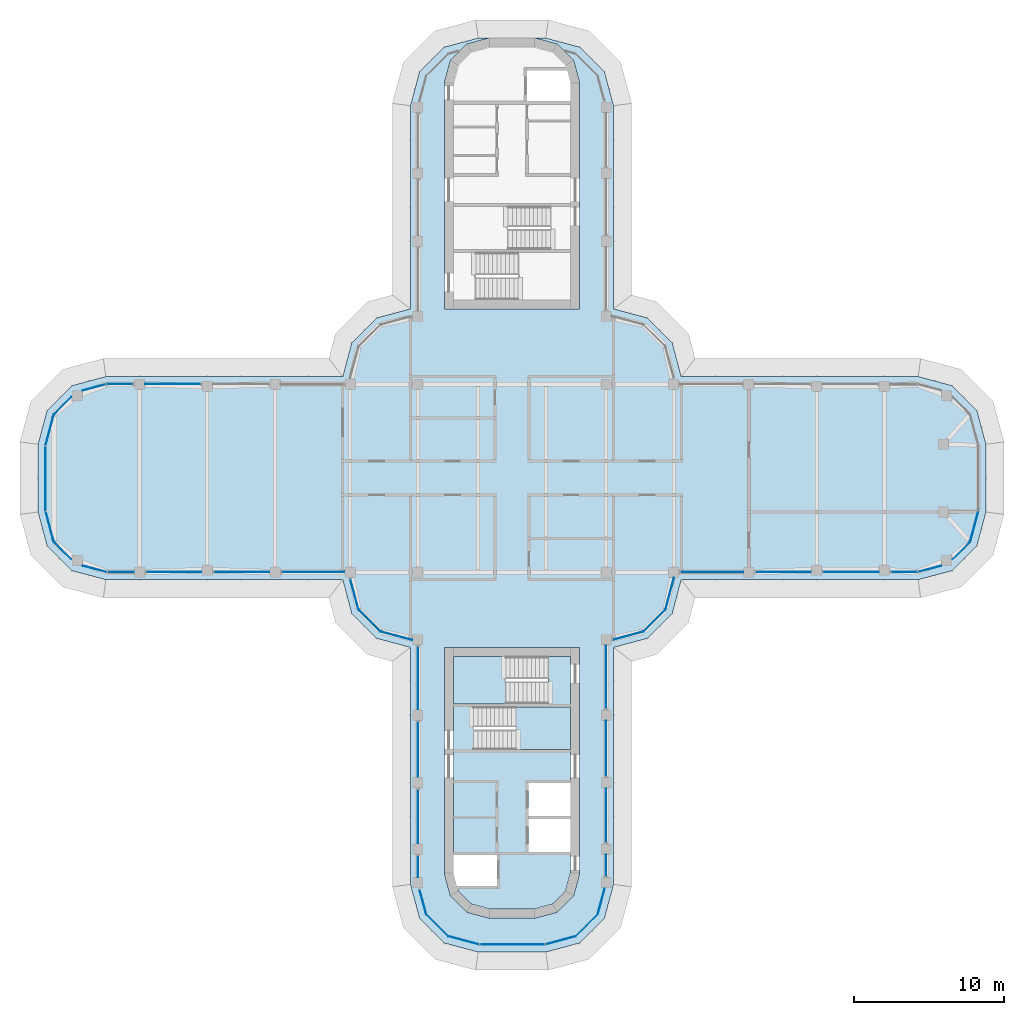
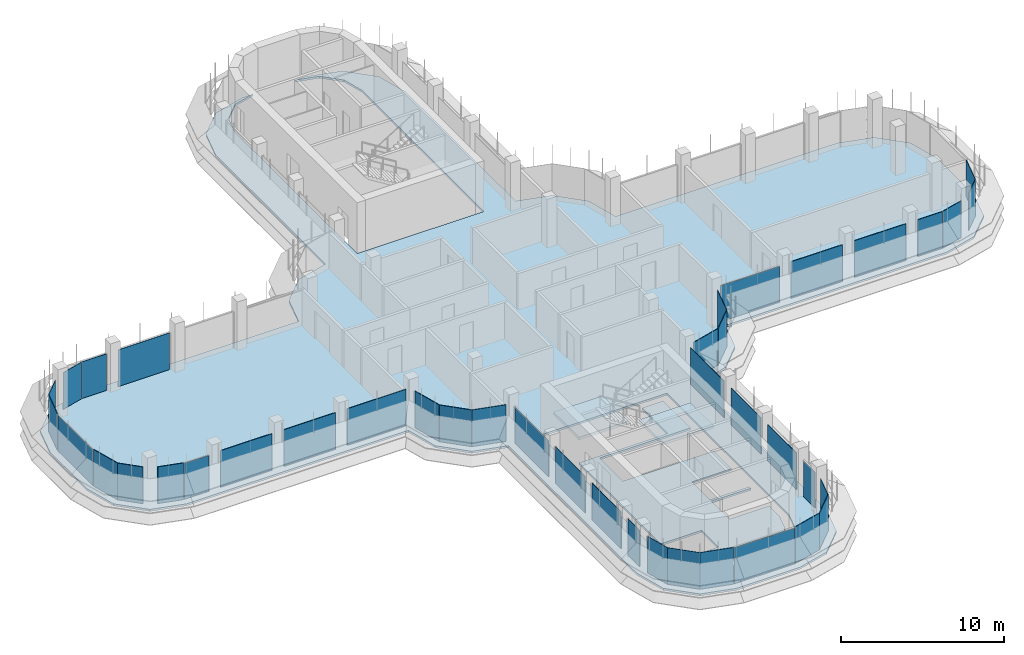
# One storey, part 11 of 19: 41 plates, 4 slabs, 30 elements without a shape of their own.
"""IFC4 building model written with IfcOpenShell, lengths in metres."""

import ifcopenshell
import ifcopenshell.guid

model = None  # the IFC model being written
_history = None  # IfcOwnerHistory: only IFC2X3 demands one
_inside = {}  # id of a spatial element -> (the spatial element, [elements in it])
_under = {}  # id of a project, library or spatial element -> (it, [spatial elements below it])
_declared = {}  # id of a project -> (the project, [libraries it declares])
_typed = {}  # id of a type object -> (the type object, [elements of that type])
_made_of = {}  # id of a material, layer set ... -> (it, [elements and type objects made of it])


def new_model(schema):
    """Start an empty IFC model of exactly this schema.

    Asked for "IFC4X3", IfcOpenShell would pick the latest addendum, in which some entities
    have other attributes; the version numbers below select the first issue.
    IFC2X3 requires an IfcOwnerHistory on every rooted entity: one is made here for all.
    """
    global model, _history
    if schema == "IFC4X3":
        model = ifcopenshell.file(schema_version=(4, 3, 0, 0))
    else:
        model = ifcopenshell.file(schema=schema)
    _inside.clear()
    _under.clear()
    _declared.clear()
    _typed.clear()
    _made_of.clear()
    _history = None
    if model.schema == "IFC2X3":
        org = make("IfcOrganization", Name="unknown")
        user = make(
            "IfcPersonAndOrganization",
            ThePerson=make("IfcPerson", FamilyName="unknown"),
            TheOrganization=org,
        )
        app = make(
            "IfcApplication",
            ApplicationDeveloper=org,
            Version="unknown",
            ApplicationFullName="unknown",
            ApplicationIdentifier="unknown",
        )
        _history = make(
            "IfcOwnerHistory",
            OwningUser=user,
            OwningApplication=app,
            ChangeAction="ADDED",
            CreationDate=0,
        )
    return model


def make(cls, **values):
    """One entity of the class cls with the attributes given. An attribute that is None is left unset."""
    return model.create_entity(
        cls, **{name: value for name, value in values.items() if value is not None}
    )


def rooted(cls, **values):
    """An entity with a GlobalId (a new one), such as an element, a storey or a relation."""
    return make(cls, GlobalId=ifcopenshell.guid.new(), OwnerHistory=_history, **values)


def si_unit(unit_type, name, prefix=None):
    """IfcSIUnit, for example si_unit("LENGTHUNIT", "METRE", prefix="MILLI")."""
    return make("IfcSIUnit", UnitType=unit_type, Prefix=prefix, Name=name)


def assignment(units):
    """IfcUnitAssignment: the units of a project."""
    return None if units is None else make("IfcUnitAssignment", Units=units)


def point(xyz):
    """IfcCartesianPoint."""
    return None if xyz is None else make("IfcCartesianPoint", Coordinates=xyz)


def direction(xyz):
    """IfcDirection."""
    return None if xyz is None else make("IfcDirection", DirectionRatios=xyz)


def frame(location, z_axis=None, x_axis=None):
    """IfcAxis2Placement3D, a coordinate frame: its origin and axes. An axis left out is left unset."""
    return make(
        "IfcAxis2Placement3D",
        Location=point(location),
        Axis=direction(z_axis),
        RefDirection=direction(x_axis),
    )


def origin():
    """The frame at (0, 0, 0) with its axes left unset."""
    return frame((0.0, 0.0, 0.0))


def place(relative_to, where):
    """IfcLocalPlacement: puts the frame where relative to a parent placement (None: the world)."""
    return make(
        "IfcLocalPlacement", PlacementRelTo=relative_to, RelativePlacement=where
    )


def context(
    kind, dimensions, precision=None, world=None, true_north=None, identifier=None
):
    """IfcGeometricRepresentationContext, for example the 3D "Model" context."""
    return make(
        "IfcGeometricRepresentationContext",
        ContextIdentifier=identifier,
        ContextType=kind,
        CoordinateSpaceDimension=dimensions,
        Precision=precision,
        WorldCoordinateSystem=world,
        TrueNorth=true_north,
    )


def subcontext(parent, identifier, kind, view, scale=None):
    """IfcGeometricRepresentationSubContext, for example "Body" below "Model"."""
    return make(
        "IfcGeometricRepresentationSubContext",
        ContextIdentifier=identifier,
        ContextType=kind,
        ParentContext=parent,
        TargetScale=scale,
        TargetView=view,
    )


def project(units=None, contexts=None):
    """IfcProject with its units and contexts."""
    return rooted(
        "IfcProject",
        Name="project",
        RepresentationContexts=contexts,
        UnitsInContext=assignment(units),
    )


def spatial(cls, under=None, at=None, **own):
    """A site, building, storey or space (cls), placed at a placement, below another one or the project."""
    s = rooted(cls, ObjectPlacement=at, **own)
    if under is not None:
        _under.setdefault(under.id(), (under, []))[1].append(s)
    return s


def polyline(points):
    """IfcPolyline through the points."""
    return make("IfcPolyline", Points=[point(p) for p in points])


def outline(outer, holes=None, kind="AREA"):
    """IfcArbitraryClosedProfileDef: a profile drawn as a closed curve; with holes, ...WithVoids."""
    if holes is None:
        return make("IfcArbitraryClosedProfileDef", ProfileType=kind, OuterCurve=outer)
    return make(
        "IfcArbitraryProfileDefWithVoids",
        ProfileType=kind,
        OuterCurve=outer,
        InnerCurves=holes,
    )


def extrude(swept, where, along, depth):
    """IfcExtrudedAreaSolid: the profile swept, set in the frame where, extruded along a direction by depth."""
    return make(
        "IfcExtrudedAreaSolid",
        SweptArea=swept,
        Position=where,
        ExtrudedDirection=direction(along),
        Depth=depth,
    )


def shape(context_of_items, identifier, shape_type, items):
    """IfcShapeRepresentation: the items that make up one representation, for example the "Body"."""
    return make(
        "IfcShapeRepresentation",
        ContextOfItems=context_of_items,
        RepresentationIdentifier=identifier,
        RepresentationType=shape_type,
        Items=items,
    )


def source(mapping_origin, context_of_items, identifier, shape_type, items):
    """IfcRepresentationMap: a shape defined once, which mapped items show again and again."""
    return make(
        "IfcRepresentationMap",
        MappingOrigin=mapping_origin,
        MappedRepresentation=shape(context_of_items, identifier, shape_type, items),
    )


def transform(
    local_origin,
    x_axis=None,
    y_axis=None,
    z_axis=None,
    scale=None,
    scale2=None,
    scale3=None,
    uniform=True,
):
    """IfcCartesianTransformationOperator3D, or its non-uniform kind. x_axis, y_axis, z_axis: its Axis1, 2, 3."""
    if uniform:
        return make(
            "IfcCartesianTransformationOperator3D",
            Axis1=direction(x_axis),
            Axis2=direction(y_axis),
            LocalOrigin=point(local_origin),
            Scale=scale,
            Axis3=direction(z_axis),
        )
    return make(
        "IfcCartesianTransformationOperator3DnonUniform",
        Axis1=direction(x_axis),
        Axis2=direction(y_axis),
        LocalOrigin=point(local_origin),
        Scale=scale,
        Axis3=direction(z_axis),
        Scale2=scale2,
        Scale3=scale3,
    )


def mapped(mapping_source, mapping_target):
    """IfcMappedItem: shows the shape of a source again, moved by a transform."""
    return make(
        "IfcMappedItem", MappingSource=mapping_source, MappingTarget=mapping_target
    )


def material(Name=None, Category=None):
    """IfcMaterial."""
    return make("IfcMaterial", Name=Name, Category=Category)


def layer(
    of_material, thickness, ventilated=None, Name=None, Category=None, Priority=None
):
    """IfcMaterialLayer: one layer of a wall or slab, of a material (None: an air gap)."""
    return make(
        "IfcMaterialLayer",
        Material=of_material,
        LayerThickness=thickness,
        IsVentilated=ventilated,
        Name=Name,
        Category=Category,
        Priority=Priority,
    )


def layer_set(layers, Name=None):
    """IfcMaterialLayerSet."""
    return make("IfcMaterialLayerSet", MaterialLayers=layers, LayerSetName=Name)


def made_of(thing, what):
    """Note that an element or type object is made of a material, layer set ...; save() writes the relation."""
    if what is not None:
        _made_of.setdefault(what.id(), (what, []))[1].append(thing)
    return thing


def type_object(cls, material=None, **own):
    """A type object (cls), such as IfcWallType, which elements share."""
    return made_of(rooted(cls, **own), material)


def element(
    cls,
    number,
    at=None,
    inside=None,
    cuts=None,
    type_object=None,
    material=None,
    context=None,
    identifier="Body",
    shape_type=None,
    held_by="IfcProductDefinitionShape",
    body=None,
    shapes=None,
    **own,
):
    """One element of the class cls, such as IfcWall. Its Tag is "e" and its number.

    at: its placement. inside: the storey or other place that contains it. cuts: it is an
    opening in that element (IfcRelVoidsElement). A single representation is given by context,
    identifier, shape_type and body (its items); several are given by shapes. held_by: the class
    of the entity that holds the representations. save() writes the other relations.
    """
    e = rooted(cls, Tag="e%d" % number, ObjectPlacement=at, **own)
    if body is not None:
        shapes = [shape(context, identifier, shape_type, body)]
    if shapes is not None:
        e.Representation = make(held_by, Representations=shapes)
    if inside is not None:
        _inside.setdefault(inside.id(), (inside, []))[1].append(e)
    if cuts is not None:
        rooted(
            "IfcRelVoidsElement", RelatingBuildingElement=cuts, RelatedOpeningElement=e
        )
    if type_object is not None:
        _typed.setdefault(type_object.id(), (type_object, []))[1].append(e)
    return made_of(e, material)


def aggregate(whole, parts):
    """IfcRelAggregates: a whole, such as a stair, and the parts it consists of."""
    return rooted("IfcRelAggregates", RelatingObject=whole, RelatedObjects=parts)


def save(model, path):
    """Write the relations noted so far, then the file.

    IfcRelAggregates (storeys below a building ...), IfcRelContainedInSpatialStructure (elements
    in a storey), IfcRelDefinesByType, IfcRelAssociatesMaterial and IfcRelDeclares: one each for
    every whole, place, type object, material and project.
    """
    for whole, parts in _under.values():
        aggregate(whole, parts)
    for where, things in _inside.values():
        rooted(
            "IfcRelContainedInSpatialStructure",
            RelatedElements=things,
            RelatingStructure=where,
        )
    for kind, things in _typed.values():
        rooted("IfcRelDefinesByType", RelatedObjects=things, RelatingType=kind)
    for what, things in _made_of.values():
        rooted("IfcRelAssociatesMaterial", RelatedObjects=things, RelatingMaterial=what)
    for by, libraries in _declared.values():
        rooted("IfcRelDeclares", RelatingContext=by, RelatedDefinitions=libraries)
    model.write(path)


model = new_model("IFC4")

# Units and contexts
model_context = context("Model", 3, precision=1e-05, world=origin(), true_north=direction((0.0, 1.0)))
body_context = subcontext(model_context, "Body", "Model", "MODEL_VIEW")
ifc_project = project(units=[si_unit("LENGTHUNIT", "METRE"), si_unit("AREAUNIT", "SQUARE_METRE"), si_unit("VOLUMEUNIT", "CUBIC_METRE"), si_unit("PLANEANGLEUNIT", "RADIAN"), si_unit("MASSUNIT", "GRAM", prefix="KILO")], contexts=[model_context])

# Site, building, storey
site_placement = place(None, origin())
site = spatial("IfcSite", under=ifc_project, at=site_placement, CompositionType="ELEMENT")
building_placement = place(site_placement, origin())
building = spatial("IfcBuilding", under=site, at=building_placement, Name="Zarbagh Exchange Tower", CompositionType="ELEMENT")
storey_placement = place(building_placement, frame((0.0, 0.0, 222.0)))
storey = spatial("IfcBuildingStorey", under=building, at=storey_placement, Name="L54", CompositionType="ELEMENT", Elevation=222.0)

# Slabs
ifc_material_1 = material(Name="Concrete C40/50", Category="concrete")
ifc_layer_1 = layer(ifc_material_1, 0.14990234375)
ifc_layer_set_1 = layer_set([ifc_layer_1], Name="Composite floor slab 150 C40/50")
slab_type_1 = type_object("IfcSlabType", Name="Composite floor slab 150 C40/50", PredefinedType="FLOOR", material=ifc_layer_set_1)
slab_1_placement = place(storey_placement, frame((0.0, 0.0, -0.14990234375)))
element("IfcSlab", 1, at=slab_1_placement, inside=storey, type_object=slab_type_1, Name="S5 composite floor slab", PredefinedType="FLOOR", context=body_context, shape_type="SweptSolid", body=[
    extrude(outline(polyline([(-2.25, -31.5), (-4.5, -30.897216796875), (-6.147216796875, -29.25), (-6.75, -27.0), (-6.75, -11.25), (-9.0, -10.647216796875), (-10.647216796875, -9.0), (-11.25, -6.75), (-27.0, -6.75), (-29.25, -6.147216796875), (-30.897216796875, -4.5), (-31.5, -2.25), (-31.5, 2.25), (-30.897216796875, 4.5), (-29.25, 6.147216796875), (-27.0, 6.75), (-11.25, 6.75), (-10.647216796875, 9.0), (-9.0, 10.647216796875), (-6.75, 11.25), (-6.75, 24.75), (-6.147216796875, 27.0), (-4.5, 28.647216796875), (-2.25, 29.25), (-1.5, 29.25), (-3.0, 28.84814453125), (-4.09814453125, 27.75), (-4.5, 26.25), (-4.5, 11.25), (4.5, 11.25), (4.5, 26.25), (4.09814453125, 27.75), (3.0, 28.84814453125), (1.5, 29.25), (2.25, 29.25), (4.5, 28.647216796875), (6.147216796875, 27.0), (6.75, 24.75), (6.75, 11.25), (9.0, 10.647216796875), (10.647216796875, 9.0), (11.25, 6.75), (27.0, 6.75), (29.25, 6.147216796875), (30.897216796875, 4.5), (31.5, 2.25), (31.5, -2.25), (30.897216796875, -4.5), (29.25, -6.147216796875), (27.0, -6.75), (11.25, -6.75), (10.647216796875, -9.0), (9.0, -10.647216796875), (6.75, -11.25), (6.75, -27.0), (6.147216796875, -29.25), (4.5, -30.897216796875), (2.25, -31.5), (-2.25, -31.5)]), holes=[polyline([(-1.5, -29.25), (1.5, -29.25), (3.0, -28.84814453125), (4.09814453125, -27.75), (4.5, -26.25), (4.5, -11.25), (-4.5, -11.25), (-4.5, -26.25), (-4.09814453125, -27.75), (-3.0, -28.84814453125), (-1.5, -29.25)])]), origin(), (0.0, 0.0, 1.0), 0.14990234375),
])
ifc_layer_2 = layer(ifc_material_1, 0.14990234375)
ifc_layer_set_2 = layer_set([ifc_layer_2], Name="Core floor slab 150 C40/50")
slab_type_2 = type_object("IfcSlabType", Name="Core floor slab 150 C40/50", PredefinedType="FLOOR", material=ifc_layer_set_2)
slab_2_placement = place(storey_placement, frame((0.0, 0.0, -0.14990234375)))
element("IfcSlab", 2, at=slab_2_placement, inside=storey, type_object=slab_type_2, Name="S17 core S", PredefinedType="FLOOR", context=body_context, shape_type="SweptSolid", body=[
    extrude(outline(polyline([(-2.689453125, -28.31005859375), (-3.56005859375, -27.439453125), (-3.651123046875, -27.10009765625), (-1.0, -27.10009765625), (-1.0, -25.050048828125), (-3.89990234375, -25.050048828125), (-3.89990234375, -15.0), (2.39990234375, -15.0), (2.39990234375, -11.85009765625), (3.89990234375, -11.85009765625), (3.89990234375, -15.199951171875), (-2.550048828125, -15.199951171875), (-2.550048828125, -18.050048828125), (3.89990234375, -18.050048828125), (3.89990234375, -20.25), (1.10009765625, -20.25), (1.10009765625, -22.449951171875), (3.89990234375, -22.449951171875), (3.89990234375, -22.64990234375), (1.10009765625, -22.64990234375), (1.10009765625, -24.85009765625), (3.89990234375, -24.85009765625), (3.89990234375, -26.1708984375), (3.56005859375, -27.439453125), (2.689453125, -28.31005859375), (1.4208984375, -28.64990234375), (-1.4208984375, -28.64990234375), (-2.689453125, -28.31005859375)])), origin(), (0.0, 0.0, 1.0), 0.14990234375),
])

# Stair, slab
stair_type = type_object("IfcStairType", Name="Exit stair two-flight half-turn", PredefinedType="HALF_TURN_STAIR", material=ifc_material_1)
stair_1_placement = place(storey_placement, origin())
stair_1 = element("IfcStair", 3, at=stair_1_placement, inside=storey, type_object=stair_type, Name="exit stair ST3", PredefinedType="HALF_TURN_STAIR")
ifc_layer_3 = layer(ifc_material_1, 0.199951171875)
ifc_layer_set_3 = layer_set([ifc_layer_3], Name="Stair landing 200 mm")
slab_type_3 = type_object("IfcSlabType", Name="Stair landing 200 mm", PredefinedType="LANDING", material=ifc_layer_set_3)
slab_3_placement = place(storey_placement, frame((0.0, 0.0, 1.699951171875)))
slab_3 = element("IfcSlab", 4, at=slab_3_placement, type_object=slab_type_3, Name="ST3 landing 1", PredefinedType="LANDING", context=body_context, shape_type="SweptSolid", body=[
    extrude(outline(polyline([(0.25, -18.050048828125), (3.89990234375, -18.050048828125), (3.89990234375, -15.199951171875), (0.25, -15.199951171875), (0.25, -18.050048828125)])), origin(), (0.0, 0.0, 1.0), 0.199951171875),
])
aggregate(stair_1, [slab_3])

stair_2_placement = place(storey_placement, origin())
stair_2 = element("IfcStair", 5, at=stair_2_placement, inside=storey, type_object=stair_type, Name="exit stair ST4", PredefinedType="HALF_TURN_STAIR")
slab_4_placement = place(storey_placement, frame((0.0, 0.0, 1.699951171875)))
slab_4 = element("IfcSlab", 6, at=slab_4_placement, type_object=slab_type_3, Name="ST4 landing 1", PredefinedType="LANDING", context=body_context, shape_type="SweptSolid", body=[
    extrude(outline(polyline([(-0.39990234375, -11.85009765625), (-3.89990234375, -11.85009765625), (-3.89990234375, -15.0), (-0.39990234375, -15.0), (-0.39990234375, -11.85009765625)])), origin(), (0.0, 0.0, 1.0), 0.199951171875),
])
aggregate(stair_2, [slab_4])

# Curtain wall, plate
ifc_material_2 = material(Name="Anodised aluminium frame and glazing", Category="aluminium")
curtain_wall_type = type_object("IfcCurtainWallType", Name="CWB Ribbon glazing, upper zones", PredefinedType="NOTDEFINED", material=ifc_material_2)
curtain_wall_1_placement = place(storey_placement, origin())
curtain_wall_1 = element("IfcCurtainWall", 7, at=curtain_wall_1_placement, inside=storey, type_object=curtain_wall_type, Name="CWB50 curtain wall", PredefinedType="NOTDEFINED")
ifc_material_3 = material(Name="Low-e double glazed unit, 6+12+6 mm")
ifc_layer_4 = layer(ifc_material_3, 0.031982421875)
ifc_layer_set_4 = layer_set([ifc_layer_4], Name="PAB Glazing panel, Low-e double glazed unit, 6+12+6 mm")
plate_type = type_object("IfcPlateType", Name="PAB Glazing panel, Low-e double glazed unit, 6+12+6 mm", PredefinedType="CURTAIN_PANEL", material=ifc_layer_set_4)
shared_shape_1 = source(origin(), body_context, "Body", "SweptSolid", [
    extrude(outline(polyline([(0.0, -0.01611328125), (2.061279296875, -0.01611328125), (2.061279296875, 0.01611328125), (0.0, 0.01611328125), (0.0, -0.01611328125)])), origin(), (0.0, 0.0, 1.0), 2.75),
])
placement = place(storey_placement, origin())
plate_1 = element("IfcPlate", 8, at=placement, type_object=plate_type, Name="CWB50 glazing panel 1.1", PredefinedType="CURTAIN_PANEL", context=body_context, shape_type="MappedRepresentation", body=[
    mapped(shared_shape_1, transform((4.2412109375, -30.44873046875, 0.0), x_axis=(0.707106781187, 0.707106781187, 0.0), y_axis=(-0.707106781187, 0.707106781187, 0.0), z_axis=(0.0, 0.0, 1.0))),
])
aggregate(curtain_wall_1, [plate_1])

curtain_wall_2_placement = place(storey_placement, origin())
curtain_wall_2 = element("IfcCurtainWall", 9, at=curtain_wall_2_placement, inside=storey, type_object=curtain_wall_type, Name="CWB06 curtain wall", PredefinedType="NOTDEFINED")
plate_2 = element("IfcPlate", 10, at=placement, type_object=plate_type, Name="CWB06 glazing panel 1.1", PredefinedType="CURTAIN_PANEL", context=body_context, shape_type="MappedRepresentation", body=[
    mapped(shared_shape_1, transform((8.7412109375, -10.19873046875, 0.0), x_axis=(0.707106781187, 0.707106781187, 0.0), y_axis=(-0.707106781187, 0.707106781187, 0.0), z_axis=(0.0, 0.0, 1.0))),
])
aggregate(curtain_wall_2, [plate_2])

curtain_wall_3_placement = place(storey_placement, origin())
curtain_wall_3 = element("IfcCurtainWall", 11, at=curtain_wall_3_placement, inside=storey, type_object=curtain_wall_type, Name="CWB42 curtain wall", PredefinedType="NOTDEFINED")
plate_3 = element("IfcPlate", 12, at=placement, type_object=plate_type, Name="CWB42 glazing panel 1.1", PredefinedType="CURTAIN_PANEL", context=body_context, shape_type="MappedRepresentation", body=[
    mapped(shared_shape_1, transform((-10.19873046875, -8.7412109375, 0.0), x_axis=(0.707106781187, -0.707106781187, 0.0), y_axis=(0.707106781187, 0.707106781187, 0.0), z_axis=(0.0, 0.0, 1.0))),
])
aggregate(curtain_wall_3, [plate_3])

curtain_wall_4_placement = place(storey_placement, origin())
curtain_wall_4 = element("IfcCurtainWall", 13, at=curtain_wall_4_placement, inside=storey, type_object=curtain_wall_type, Name="CWB55 curtain wall", PredefinedType="NOTDEFINED")
plate_4 = element("IfcPlate", 14, at=placement, type_object=plate_type, Name="CWB55 glazing panel 1.1", PredefinedType="CURTAIN_PANEL", context=body_context, shape_type="MappedRepresentation", body=[
    mapped(shared_shape_1, transform((-5.69873046875, -28.9912109375, 0.0), x_axis=(0.707106781187, -0.707106781187, 0.0), y_axis=(0.707106781187, 0.707106781187, 0.0), z_axis=(0.0, 0.0, 1.0))),
])
aggregate(curtain_wall_4, [plate_4])

curtain_wall_5_placement = place(storey_placement, origin())
curtain_wall_5 = element("IfcCurtainWall", 15, at=curtain_wall_5_placement, inside=storey, type_object=curtain_wall_type, Name="CWB11 curtain wall", PredefinedType="NOTDEFINED")
shared_shape_2 = source(origin(), body_context, "Body", "SweptSolid", [
    extrude(outline(polyline([(0.0, -0.01611328125), (2.129638671875, -0.01611328125), (2.129638671875, 0.01611328125), (0.0, 0.01611328125), (0.0, -0.01611328125)])), origin(), (0.0, 0.0, 1.0), 2.75),
])
plate_5 = element("IfcPlate", 16, at=placement, type_object=plate_type, Name="CWB11 glazing panel 1.1", PredefinedType="CURTAIN_PANEL", context=body_context, shape_type="MappedRepresentation", body=[
    mapped(shared_shape_2, transform((30.44873046875, -4.2412109375, 0.0), x_axis=(0.258824779902, 0.965924289636, 0.0), y_axis=(-0.965924289636, 0.258824779902, 0.0), z_axis=(0.0, 0.0, 1.0))),
])
aggregate(curtain_wall_5, [plate_5])

curtain_wall_6_placement = place(storey_placement, origin())
curtain_wall_6 = element("IfcCurtainWall", 17, at=curtain_wall_6_placement, inside=storey, type_object=curtain_wall_type, Name="CWB61 curtain wall", PredefinedType="NOTDEFINED")
plate_6 = element("IfcPlate", 18, at=placement, type_object=plate_type, Name="CWB61 glazing panel 1.1", PredefinedType="CURTAIN_PANEL", context=body_context, shape_type="MappedRepresentation", body=[
    mapped(shared_shape_2, transform((-30.44873046875, 4.2412109375, 0.0), x_axis=(-0.258824779902, -0.965924289636, 0.0), y_axis=(0.965924289636, -0.258824779902, 0.0), z_axis=(0.0, 0.0, 1.0))),
])
aggregate(curtain_wall_6, [plate_6])

curtain_wall_7_placement = place(storey_placement, origin())
curtain_wall_7 = element("IfcCurtainWall", 19, at=curtain_wall_7_placement, inside=storey, type_object=curtain_wall_type, Name="CWB56 curtain wall", PredefinedType="NOTDEFINED")
plate_7 = element("IfcPlate", 20, at=placement, type_object=plate_type, Name="CWB56 glazing panel 1.1", PredefinedType="CURTAIN_PANEL", context=body_context, shape_type="MappedRepresentation", body=[
    mapped(shared_shape_2, transform((-4.2412109375, -30.44873046875, 0.0), x_axis=(0.965924289636, -0.258824779902, 0.0), y_axis=(0.258824779902, 0.965924289636, 0.0), z_axis=(0.0, 0.0, 1.0))),
])
aggregate(curtain_wall_7, [plate_7])

curtain_wall_8_placement = place(storey_placement, origin())
curtain_wall_8 = element("IfcCurtainWall", 21, at=curtain_wall_8_placement, inside=storey, type_object=curtain_wall_type, Name="CWB52 curtain wall", PredefinedType="NOTDEFINED")
shared_shape_3 = source(origin(), body_context, "Body", "SweptSolid", [
    extrude(outline(polyline([(0.0, -0.01611328125), (3.56005859375, -0.01611328125), (3.56005859375, 0.01611328125), (0.0, 0.01611328125), (0.0, -0.01611328125)])), origin(), (0.0, 0.0, 1.0), 2.75),
])
plate_8 = element("IfcPlate", 22, at=placement, type_object=plate_type, Name="CWB52 glazing panel 2.1", PredefinedType="CURTAIN_PANEL", context=body_context, shape_type="MappedRepresentation", body=[
    mapped(shared_shape_3, transform((6.25, -24.199951171875, 0.0), x_axis=(0.0, 1.0, 0.0), y_axis=(-1.0, 0.0, 0.0), z_axis=(0.0, 0.0, 1.0))),
])

curtain_wall_9_placement = place(storey_placement, origin())
curtain_wall_9 = element("IfcCurtainWall", 23, at=curtain_wall_9_placement, inside=storey, type_object=curtain_wall_type, Name="CWB53 curtain wall", PredefinedType="NOTDEFINED")
plate_9 = element("IfcPlate", 24, at=placement, type_object=plate_type, Name="CWB53 glazing panel 3.1", PredefinedType="CURTAIN_PANEL", context=body_context, shape_type="MappedRepresentation", body=[
    mapped(shared_shape_3, transform((-6.25, -20.699951171875, 0.0), x_axis=(0.0, -1.0, 0.0), y_axis=(1.0, 0.0, 0.0), z_axis=(0.0, 0.0, 1.0))),
])

curtain_wall_10_placement = place(storey_placement, origin())
curtain_wall_10 = element("IfcCurtainWall", 25, at=curtain_wall_10_placement, inside=storey, type_object=curtain_wall_type, Name="CWB66 curtain wall", PredefinedType="NOTDEFINED")
shared_shape_4 = source(origin(), body_context, "Body", "SweptSolid", [
    extrude(outline(polyline([(0.0, -0.01611328125), (4.308349609375, -0.01611328125), (4.308349609375, 0.01611328125), (0.0, 0.01611328125), (0.0, -0.01611328125)])), origin(), (0.0, 0.0, 1.0), 2.68994140625),
])
plate_10 = element("IfcPlate", 26, at=placement, type_object=plate_type, Name="CWB66 glazing panel 1.1", PredefinedType="CURTAIN_PANEL", context=body_context, shape_type="MappedRepresentation", body=[
    mapped(shared_shape_4, transform((-31.0, 2.124267578125, 0.0), x_axis=(0.0, -1.0, 0.0), y_axis=(1.0, 0.0, 0.0), z_axis=(0.0, 0.0, 1.0))),
])
aggregate(curtain_wall_10, [plate_10])

curtain_wall_11_placement = place(storey_placement, origin())
curtain_wall_11 = element("IfcCurtainWall", 27, at=curtain_wall_11_placement, inside=storey, type_object=curtain_wall_type, Name="CWB57 curtain wall", PredefinedType="NOTDEFINED")
plate_11 = element("IfcPlate", 28, at=placement, type_object=plate_type, Name="CWB57 glazing panel 1.1", PredefinedType="CURTAIN_PANEL", context=body_context, shape_type="MappedRepresentation", body=[
    mapped(shared_shape_4, transform((-2.124267578125, -31.0, 0.0), x_axis=(1.0, 0.0, 0.0), y_axis=(0.0, 1.0, 0.0), z_axis=(0.0, 0.0, 1.0))),
])
aggregate(curtain_wall_11, [plate_11])

curtain_wall_12_placement = place(storey_placement, origin())
curtain_wall_12 = element("IfcCurtainWall", 29, at=curtain_wall_12_placement, inside=storey, type_object=curtain_wall_type, Name="CWB49 curtain wall", PredefinedType="NOTDEFINED")
shared_shape_5 = source(origin(), body_context, "Body", "SweptSolid", [
    extrude(outline(polyline([(0.0, -0.01611328125), (2.069580078125, -0.01611328125), (2.069580078125, 0.01611328125), (0.0, 0.01611328125), (0.0, -0.01611328125)])), origin(), (0.0, 0.0, 1.0), 2.75),
])
plate_12 = element("IfcPlate", 30, at=placement, type_object=plate_type, Name="CWB49 glazing panel 1.1", PredefinedType="CURTAIN_PANEL", context=body_context, shape_type="MappedRepresentation", body=[
    mapped(shared_shape_5, transform((2.2421875, -30.984375, 0.0), x_axis=(0.965924289636, 0.258824779902, 0.0), y_axis=(-0.258824779902, 0.965924289636, 0.0), z_axis=(0.0, 0.0, 1.0))),
])
aggregate(curtain_wall_12, [plate_12])

curtain_wall_13_placement = place(storey_placement, origin())
curtain_wall_13 = element("IfcCurtainWall", 31, at=curtain_wall_13_placement, inside=storey, type_object=curtain_wall_type, Name="CWB62 curtain wall", PredefinedType="NOTDEFINED")
plate_13 = element("IfcPlate", 32, at=placement, type_object=plate_type, Name="CWB62 glazing panel 1.1", PredefinedType="CURTAIN_PANEL", context=body_context, shape_type="MappedRepresentation", body=[
    mapped(shared_shape_5, transform((-30.984375, -2.2421875, 0.0), x_axis=(0.258824779902, -0.965924289636, 0.0), y_axis=(0.965924289636, 0.258824779902, 0.0), z_axis=(0.0, 0.0, 1.0))),
])
aggregate(curtain_wall_13, [plate_13])

curtain_wall_14_placement = place(storey_placement, origin())
curtain_wall_14 = element("IfcCurtainWall", 33, at=curtain_wall_14_placement, inside=storey, type_object=curtain_wall_type, Name="CWB51 curtain wall", PredefinedType="NOTDEFINED")
shared_shape_6 = source(origin(), body_context, "Body", "SweptSolid", [
    extrude(outline(polyline([(0.0, -0.01611328125), (1.76123046875, -0.01611328125), (1.76123046875, 0.01611328125), (0.0, 0.01611328125), (0.0, -0.01611328125)])), origin(), (0.0, 0.0, 1.0), 2.75),
])
plate_14 = element("IfcPlate", 34, at=placement, type_object=plate_type, Name="CWB51 glazing panel 1.1", PredefinedType="CURTAIN_PANEL", context=body_context, shape_type="MappedRepresentation", body=[
    mapped(shared_shape_6, transform((5.69873046875, -28.9912109375, 0.0), x_axis=(0.258824779902, 0.965924289636, 0.0), y_axis=(-0.965924289636, 0.258824779902, 0.0), z_axis=(0.0, 0.0, 1.0))),
])
aggregate(curtain_wall_14, [plate_14])

# Plate
shared_shape_7 = source(origin(), body_context, "Body", "SweptSolid", [
    extrude(outline(polyline([(0.0, -0.01611328125), (1.409912109375, -0.01611328125), (1.409912109375, 0.01611328125), (0.0, 0.01611328125), (0.0, -0.01611328125)])), origin(), (0.0, 0.0, 1.0), 2.68994140625),
])
plate_15 = element("IfcPlate", 35, at=placement, type_object=plate_type, Name="CWB52 glazing panel 1.1", PredefinedType="CURTAIN_PANEL", context=body_context, shape_type="MappedRepresentation", body=[
    mapped(shared_shape_7, transform((6.25, -26.449951171875, 0.0), x_axis=(0.0, 1.0, 0.0), y_axis=(-1.0, 0.0, 0.0), z_axis=(0.0, 0.0, 1.0))),
])

shared_shape_8 = source(origin(), body_context, "Body", "SweptSolid", [
    extrude(outline(polyline([(0.0, -0.01611328125), (3.659912109375, -0.01611328125), (3.659912109375, 0.01611328125), (0.0, 0.01611328125), (0.0, -0.01611328125)])), origin(), (0.0, 0.0, 1.0), 2.75),
])
plate_16 = element("IfcPlate", 36, at=placement, type_object=plate_type, Name="CWB52 glazing panel 3.1", PredefinedType="CURTAIN_PANEL", context=body_context, shape_type="MappedRepresentation", body=[
    mapped(shared_shape_8, transform((6.25, -19.800048828125, 0.0), x_axis=(0.0, 1.0, 0.0), y_axis=(-1.0, 0.0, 0.0), z_axis=(0.0, 0.0, 1.0))),
])

# Curtain wall, plates
curtain_wall_15_placement = place(storey_placement, origin())
curtain_wall_15 = element("IfcCurtainWall", 37, at=curtain_wall_15_placement, inside=storey, type_object=curtain_wall_type, Name="CWB08 curtain wall", PredefinedType="NOTDEFINED")
plate_17 = element("IfcPlate", 38, at=placement, type_object=plate_type, Name="CWB08 glazing panel 2.1", PredefinedType="CURTAIN_PANEL", context=body_context, shape_type="MappedRepresentation", body=[
    mapped(shared_shape_8, transform((16.199951171875, -6.25, 0.0), x_axis=(1.0, 0.0, 0.0), y_axis=(0.0, 1.0, 0.0), z_axis=(0.0, 0.0, 1.0))),
])
plate_18 = element("IfcPlate", 39, at=placement, type_object=plate_type, Name="CWB08 glazing panel 3.1", PredefinedType="CURTAIN_PANEL", context=body_context, shape_type="MappedRepresentation", body=[
    mapped(shared_shape_8, transform((20.699951171875, -6.25, 0.0), x_axis=(1.0, 0.0, 0.0), y_axis=(0.0, 1.0, 0.0), z_axis=(0.0, 0.0, 1.0))),
])

# Curtain wall, plate
curtain_wall_16_placement = place(storey_placement, origin())
curtain_wall_16 = element("IfcCurtainWall", 40, at=curtain_wall_16_placement, inside=storey, type_object=curtain_wall_type, Name="CWB58 curtain wall", PredefinedType="NOTDEFINED")
plate_19 = element("IfcPlate", 41, at=placement, type_object=plate_type, Name="CWB58 glazing panel 3.1", PredefinedType="CURTAIN_PANEL", context=body_context, shape_type="MappedRepresentation", body=[
    mapped(shared_shape_8, transform((-20.699951171875, 6.25, 0.0), x_axis=(-1.0, 0.0, 0.0), y_axis=(0.0, -1.0, 0.0), z_axis=(0.0, 0.0, 1.0))),
])

# Curtain wall, plates
curtain_wall_17_placement = place(storey_placement, origin())
curtain_wall_17 = element("IfcCurtainWall", 42, at=curtain_wall_17_placement, inside=storey, type_object=curtain_wall_type, Name="CWB65 curtain wall", PredefinedType="NOTDEFINED")
plate_20 = element("IfcPlate", 43, at=placement, type_object=plate_type, Name="CWB65 glazing panel 2.1", PredefinedType="CURTAIN_PANEL", context=body_context, shape_type="MappedRepresentation", body=[
    mapped(shared_shape_8, transform((-24.300048828125, -6.25, 0.0), x_axis=(1.0, 0.0, 0.0), y_axis=(0.0, 1.0, 0.0), z_axis=(0.0, 0.0, 1.0))),
])
plate_21 = element("IfcPlate", 44, at=placement, type_object=plate_type, Name="CWB65 glazing panel 3.1", PredefinedType="CURTAIN_PANEL", context=body_context, shape_type="MappedRepresentation", body=[
    mapped(shared_shape_8, transform((-19.800048828125, -6.25, 0.0), x_axis=(1.0, 0.0, 0.0), y_axis=(0.0, 1.0, 0.0), z_axis=(0.0, 0.0, 1.0))),
])

# Plate
plate_22 = element("IfcPlate", 45, at=placement, type_object=plate_type, Name="CWB53 glazing panel 2.1", PredefinedType="CURTAIN_PANEL", context=body_context, shape_type="MappedRepresentation", body=[
    mapped(shared_shape_8, transform((-6.25, -16.199951171875, 0.0), x_axis=(0.0, -1.0, 0.0), y_axis=(1.0, 0.0, 0.0), z_axis=(0.0, 0.0, 1.0))),
])

shared_shape_9 = source(origin(), body_context, "Body", "SweptSolid", [
    extrude(outline(polyline([(0.0, -0.01611328125), (4.159912109375, -0.01611328125), (4.159912109375, 0.01611328125), (0.0, 0.01611328125), (0.0, -0.01611328125)])), origin(), (0.0, 0.0, 1.0), 2.75),
])
plate_23 = element("IfcPlate", 46, at=placement, type_object=plate_type, Name="CWB52 glazing panel 4.1", PredefinedType="CURTAIN_PANEL", context=body_context, shape_type="MappedRepresentation", body=[
    mapped(shared_shape_9, transform((6.25, -15.300048828125, 0.0), x_axis=(0.0, 1.0, 0.0), y_axis=(-1.0, 0.0, 0.0), z_axis=(0.0, 0.0, 1.0))),
])

aggregate(curtain_wall_8, [plate_15, plate_8, plate_16, plate_23])

plate_24 = element("IfcPlate", 47, at=placement, type_object=plate_type, Name="CWB65 glazing panel 4.1", PredefinedType="CURTAIN_PANEL", context=body_context, shape_type="MappedRepresentation", body=[
    mapped(shared_shape_9, transform((-15.300048828125, -6.25, 0.0), x_axis=(1.0, 0.0, 0.0), y_axis=(0.0, 1.0, 0.0), z_axis=(0.0, 0.0, 1.0))),
])

# Curtain wall, plate
curtain_wall_18_placement = place(storey_placement, origin())
curtain_wall_18 = element("IfcCurtainWall", 48, at=curtain_wall_18_placement, inside=storey, type_object=curtain_wall_type, Name="CWB05 curtain wall", PredefinedType="NOTDEFINED")
shared_shape_10 = source(origin(), body_context, "Body", "SweptSolid", [
    extrude(outline(polyline([(0.0, -0.01611328125), (2.115234375, -0.01611328125), (2.115234375, 0.01611328125), (0.0, 0.01611328125), (0.0, -0.01611328125)])), origin(), (0.0, 0.0, 1.0), 2.75),
])
plate_25 = element("IfcPlate", 49, at=placement, type_object=plate_type, Name="CWB05 glazing panel 1.1", PredefinedType="CURTAIN_PANEL", context=body_context, shape_type="MappedRepresentation", body=[
    mapped(shared_shape_10, transform((6.697998046875, -10.746337890625, 0.0), x_axis=(0.965924289636, 0.258824779902, 0.0), y_axis=(-0.258824779902, 0.965924289636, 0.0), z_axis=(0.0, 0.0, 1.0))),
])
aggregate(curtain_wall_18, [plate_25])

curtain_wall_19_placement = place(storey_placement, origin())
curtain_wall_19 = element("IfcCurtainWall", 50, at=curtain_wall_19_placement, inside=storey, type_object=curtain_wall_type, Name="CWB41 curtain wall", PredefinedType="NOTDEFINED")
plate_26 = element("IfcPlate", 51, at=placement, type_object=plate_type, Name="CWB41 glazing panel 1.1", PredefinedType="CURTAIN_PANEL", context=body_context, shape_type="MappedRepresentation", body=[
    mapped(shared_shape_10, transform((-10.746337890625, -6.697998046875, 0.0), x_axis=(0.258824779902, -0.965924289636, 0.0), y_axis=(0.965924289636, 0.258824779902, 0.0), z_axis=(0.0, 0.0, 1.0))),
])
aggregate(curtain_wall_19, [plate_26])

curtain_wall_20_placement = place(storey_placement, origin())
curtain_wall_20 = element("IfcCurtainWall", 52, at=curtain_wall_20_placement, inside=storey, type_object=curtain_wall_type, Name="CWB07 curtain wall", PredefinedType="NOTDEFINED")
shared_shape_11 = source(origin(), body_context, "Body", "SweptSolid", [
    extrude(outline(polyline([(0.0, -0.01611328125), (2.17529296875, -0.01611328125), (2.17529296875, 0.01611328125), (0.0, 0.01611328125), (0.0, -0.01611328125)])), origin(), (0.0, 0.0, 1.0), 2.75),
])
plate_27 = element("IfcPlate", 53, at=placement, type_object=plate_type, Name="CWB07 glazing panel 1.1", PredefinedType="CURTAIN_PANEL", context=body_context, shape_type="MappedRepresentation", body=[
    mapped(shared_shape_11, transform((10.19873046875, -8.7412109375, 0.0), x_axis=(0.258824779902, 0.965924289636, 0.0), y_axis=(-0.965924289636, 0.258824779902, 0.0), z_axis=(0.0, 0.0, 1.0))),
])
aggregate(curtain_wall_20, [plate_27])

curtain_wall_21_placement = place(storey_placement, origin())
curtain_wall_21 = element("IfcCurtainWall", 54, at=curtain_wall_21_placement, inside=storey, type_object=curtain_wall_type, Name="CWB43 curtain wall", PredefinedType="NOTDEFINED")
plate_28 = element("IfcPlate", 55, at=placement, type_object=plate_type, Name="CWB43 glazing panel 1.1", PredefinedType="CURTAIN_PANEL", context=body_context, shape_type="MappedRepresentation", body=[
    mapped(shared_shape_11, transform((-8.7412109375, -10.19873046875, 0.0), x_axis=(0.965924289636, -0.258824779902, 0.0), y_axis=(0.258824779902, 0.965924289636, 0.0), z_axis=(0.0, 0.0, 1.0))),
])
aggregate(curtain_wall_21, [plate_28])

# Plate
shared_shape_12 = source(origin(), body_context, "Body", "SweptSolid", [
    extrude(outline(polyline([(0.0, -0.01611328125), (4.159912109375, -0.01611328125), (4.159912109375, 0.01611328125), (0.0, 0.01611328125), (0.0, -0.01611328125)])), origin(), (0.0, 0.0, 1.0), 2.68994140625),
])
plate_29 = element("IfcPlate", 56, at=placement, type_object=plate_type, Name="CWB08 glazing panel 1.1", PredefinedType="CURTAIN_PANEL", context=body_context, shape_type="MappedRepresentation", body=[
    mapped(shared_shape_12, transform((11.199951171875, -6.25, 0.0), x_axis=(1.0, 0.0, 0.0), y_axis=(0.0, 1.0, 0.0), z_axis=(0.0, 0.0, 1.0))),
])

plate_30 = element("IfcPlate", 57, at=placement, type_object=plate_type, Name="CWB53 glazing panel 1.1", PredefinedType="CURTAIN_PANEL", context=body_context, shape_type="MappedRepresentation", body=[
    mapped(shared_shape_12, transform((-6.25, -11.199951171875, 0.0), x_axis=(0.0, -1.0, 0.0), y_axis=(1.0, 0.0, 0.0), z_axis=(0.0, 0.0, 1.0))),
])

shared_shape_13 = source(origin(), body_context, "Body", "SweptSolid", [
    extrude(outline(polyline([(0.0, -0.01611328125), (1.734130859375, -0.01611328125), (1.734130859375, 0.01611328125), (0.0, 0.01611328125), (0.0, -0.01611328125)])), origin(), (0.0, 0.0, 1.0), 2.75),
])
plate_31 = element("IfcPlate", 58, at=placement, type_object=plate_type, Name="CWB08 glazing panel 4.1", PredefinedType="CURTAIN_PANEL", context=body_context, shape_type="MappedRepresentation", body=[
    mapped(shared_shape_13, transform((25.199951171875, -6.25, 0.0), x_axis=(1.0, 0.0, 0.0), y_axis=(0.0, 1.0, 0.0), z_axis=(0.0, 0.0, 1.0))),
])

aggregate(curtain_wall_15, [plate_29, plate_17, plate_18, plate_31])

plate_32 = element("IfcPlate", 59, at=placement, type_object=plate_type, Name="CWB58 glazing panel 4.1", PredefinedType="CURTAIN_PANEL", context=body_context, shape_type="MappedRepresentation", body=[
    mapped(shared_shape_13, transform((-25.199951171875, 6.25, 0.0), x_axis=(-1.0, 0.0, 0.0), y_axis=(0.0, -1.0, 0.0), z_axis=(0.0, 0.0, 1.0))),
])

aggregate(curtain_wall_16, [plate_19, plate_32])

# Curtain wall, plate
curtain_wall_22_placement = place(storey_placement, origin())
curtain_wall_22 = element("IfcCurtainWall", 60, at=curtain_wall_22_placement, inside=storey, type_object=curtain_wall_type, Name="CWB09 curtain wall", PredefinedType="NOTDEFINED")
shared_shape_14 = source(origin(), body_context, "Body", "SweptSolid", [
    extrude(outline(polyline([(0.0, -0.01611328125), (1.57958984375, -0.01611328125), (1.57958984375, 0.01611328125), (0.0, 0.01611328125), (0.0, -0.01611328125)])), origin(), (0.0, 0.0, 1.0), 2.75),
])
plate_33 = element("IfcPlate", 61, at=placement, type_object=plate_type, Name="CWB09 glazing panel 1.1", PredefinedType="CURTAIN_PANEL", context=body_context, shape_type="MappedRepresentation", body=[
    mapped(shared_shape_14, transform((26.9921875, -6.234375, 0.0), x_axis=(0.965924289636, 0.258824779902, 0.0), y_axis=(-0.258824779902, 0.965924289636, 0.0), z_axis=(0.0, 0.0, 1.0))),
])
aggregate(curtain_wall_22, [plate_33])

curtain_wall_23_placement = place(storey_placement, origin())
curtain_wall_23 = element("IfcCurtainWall", 62, at=curtain_wall_23_placement, inside=storey, type_object=curtain_wall_type, Name="CWB59 curtain wall", PredefinedType="NOTDEFINED")
plate_34 = element("IfcPlate", 63, at=placement, type_object=plate_type, Name="CWB59 glazing panel 1.1", PredefinedType="CURTAIN_PANEL", context=body_context, shape_type="MappedRepresentation", body=[
    mapped(shared_shape_14, transform((-26.9921875, 6.234375, 0.0), x_axis=(-0.965924289636, -0.258824779902, 0.0), y_axis=(0.258824779902, -0.965924289636, 0.0), z_axis=(0.0, 0.0, 1.0))),
])
aggregate(curtain_wall_23, [plate_34])

curtain_wall_24_placement = place(storey_placement, origin())
curtain_wall_24 = element("IfcCurtainWall", 64, at=curtain_wall_24_placement, inside=storey, type_object=curtain_wall_type, Name="CWB10 curtain wall", PredefinedType="NOTDEFINED")
shared_shape_15 = source(origin(), body_context, "Body", "SweptSolid", [
    extrude(outline(polyline([(0.0, -0.01611328125), (1.62744140625, -0.01611328125), (1.62744140625, 0.01611328125), (0.0, 0.01611328125), (0.0, -0.01611328125)])), origin(), (0.0, 0.0, 1.0), 2.75),
])
plate_35 = element("IfcPlate", 65, at=placement, type_object=plate_type, Name="CWB10 glazing panel 1.1", PredefinedType="CURTAIN_PANEL", context=body_context, shape_type="MappedRepresentation", body=[
    mapped(shared_shape_15, transform((29.298095703125, -5.39208984375, 0.0), x_axis=(0.707106781187, 0.707106781187, 0.0), y_axis=(-0.707106781187, 0.707106781187, 0.0), z_axis=(0.0, 0.0, 1.0))),
])
aggregate(curtain_wall_24, [plate_35])

curtain_wall_25_placement = place(storey_placement, origin())
curtain_wall_25 = element("IfcCurtainWall", 66, at=curtain_wall_25_placement, inside=storey, type_object=curtain_wall_type, Name="CWB60 curtain wall", PredefinedType="NOTDEFINED")
plate_36 = element("IfcPlate", 67, at=placement, type_object=plate_type, Name="CWB60 glazing panel 1.1", PredefinedType="CURTAIN_PANEL", context=body_context, shape_type="MappedRepresentation", body=[
    mapped(shared_shape_15, transform((-29.298095703125, 5.39208984375, 0.0), x_axis=(-0.707106781187, -0.707106781187, 0.0), y_axis=(0.707106781187, -0.707106781187, 0.0), z_axis=(0.0, 0.0, 1.0))),
])
aggregate(curtain_wall_25, [plate_36])

curtain_wall_26_placement = place(storey_placement, origin())
curtain_wall_26 = element("IfcCurtainWall", 68, at=curtain_wall_26_placement, inside=storey, type_object=curtain_wall_type, Name="CWB63 curtain wall", PredefinedType="NOTDEFINED")
plate_37 = element("IfcPlate", 69, at=placement, type_object=plate_type, Name="CWB63 glazing panel 1.1", PredefinedType="CURTAIN_PANEL", context=body_context, shape_type="MappedRepresentation", body=[
    mapped(shared_shape_15, transform((-30.44873046875, -4.2412109375, 0.0), x_axis=(0.707106781187, -0.707106781187, 0.0), y_axis=(0.707106781187, 0.707106781187, 0.0), z_axis=(0.0, 0.0, 1.0))),
])
aggregate(curtain_wall_26, [plate_37])

curtain_wall_27_placement = place(storey_placement, origin())
curtain_wall_27 = element("IfcCurtainWall", 70, at=curtain_wall_27_placement, inside=storey, type_object=curtain_wall_type, Name="CWB64 curtain wall", PredefinedType="NOTDEFINED")
shared_shape_16 = source(origin(), body_context, "Body", "SweptSolid", [
    extrude(outline(polyline([(0.0, -0.01611328125), (1.6396484375, -0.01611328125), (1.6396484375, 0.01611328125), (0.0, 0.01611328125), (0.0, -0.01611328125)])), origin(), (0.0, 0.0, 1.0), 2.75),
])
plate_38 = element("IfcPlate", 71, at=placement, type_object=plate_type, Name="CWB64 glazing panel 1.1", PredefinedType="CURTAIN_PANEL", context=body_context, shape_type="MappedRepresentation", body=[
    mapped(shared_shape_16, transform((-28.51806640625, -5.82568359375, 0.0), x_axis=(0.965924289636, -0.258824779902, 0.0), y_axis=(0.258824779902, 0.965924289636, 0.0), z_axis=(0.0, 0.0, 1.0))),
])
aggregate(curtain_wall_27, [plate_38])

# Plate
shared_shape_17 = source(origin(), body_context, "Body", "SweptSolid", [
    extrude(outline(polyline([(0.0, -0.01611328125), (1.734130859375, -0.01611328125), (1.734130859375, 0.01611328125), (0.0, 0.01611328125), (0.0, -0.01611328125)])), origin(), (0.0, 0.0, 1.0), 2.68994140625),
])
plate_39 = element("IfcPlate", 72, at=placement, type_object=plate_type, Name="CWB65 glazing panel 1.1", PredefinedType="CURTAIN_PANEL", context=body_context, shape_type="MappedRepresentation", body=[
    mapped(shared_shape_17, transform((-26.874267578125, -6.25, 0.0), x_axis=(1.0, 0.0, 0.0), y_axis=(0.0, 1.0, 0.0), z_axis=(0.0, 0.0, 1.0))),
])

aggregate(curtain_wall_17, [plate_39, plate_20, plate_21, plate_24])

shared_shape_18 = source(origin(), body_context, "Body", "SweptSolid", [
    extrude(outline(polyline([(0.0, -0.01611328125), (1.409912109375, -0.01611328125), (1.409912109375, 0.01611328125), (0.0, 0.01611328125), (0.0, -0.01611328125)])), origin(), (0.0, 0.0, 1.0), 2.75),
])
plate_40 = element("IfcPlate", 73, at=placement, type_object=plate_type, Name="CWB53 glazing panel 4.1", PredefinedType="CURTAIN_PANEL", context=body_context, shape_type="MappedRepresentation", body=[
    mapped(shared_shape_18, transform((-6.25, -25.10009765625, 0.0), x_axis=(0.0, -1.0, 0.0), y_axis=(1.0, 0.0, 0.0), z_axis=(0.0, 0.0, 1.0))),
])

aggregate(curtain_wall_9, [plate_30, plate_22, plate_9, plate_40])

# Curtain wall, plate
curtain_wall_28_placement = place(storey_placement, origin())
curtain_wall_28 = element("IfcCurtainWall", 74, at=curtain_wall_28_placement, inside=storey, type_object=curtain_wall_type, Name="CWB54 curtain wall", PredefinedType="NOTDEFINED")
shared_shape_19 = source(origin(), body_context, "Body", "SweptSolid", [
    extrude(outline(polyline([(0.0, -0.01611328125), (1.701171875, -0.01611328125), (1.701171875, 0.01611328125), (0.0, 0.01611328125), (0.0, -0.01611328125)])), origin(), (0.0, 0.0, 1.0), 2.75),
])
plate_41 = element("IfcPlate", 75, at=placement, type_object=plate_type, Name="CWB54 glazing panel 1.1", PredefinedType="CURTAIN_PANEL", context=body_context, shape_type="MappedRepresentation", body=[
    mapped(shared_shape_19, transform((-6.13916015625, -27.347900390625, 0.0), x_axis=(0.258824779902, -0.965924289636, 0.0), y_axis=(0.965924289636, 0.258824779902, 0.0), z_axis=(0.0, 0.0, 1.0))),
])
aggregate(curtain_wall_28, [plate_41])

save(model, "model.ifc")
